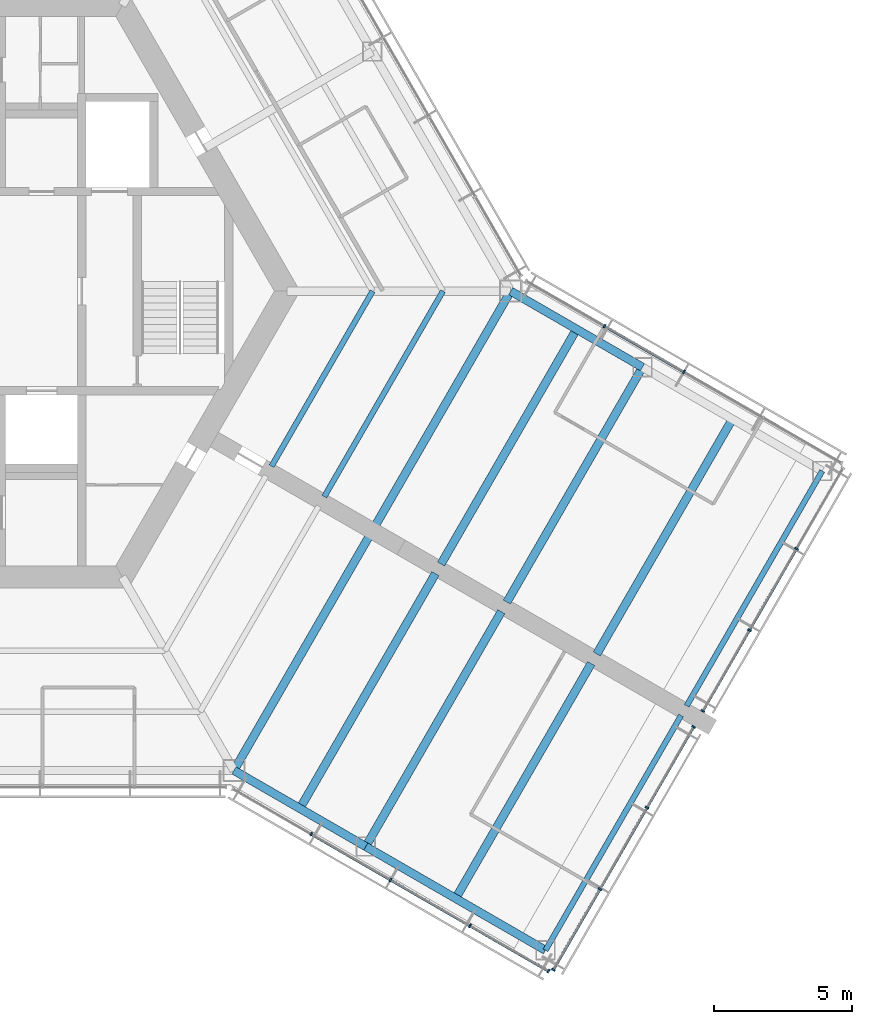
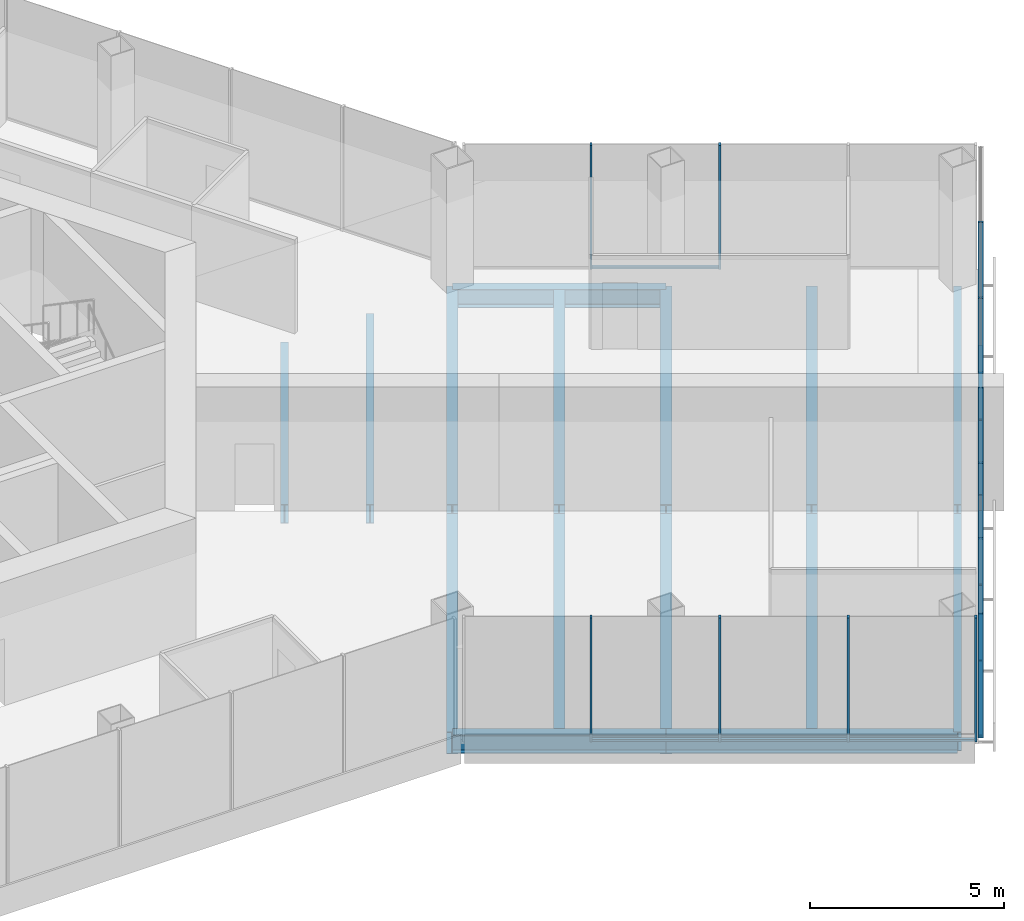
# One storey, part 4 of 15: 22 members, 15 beams, 4 elements without a shape of their own.
"""IFC4 building model written with IfcOpenShell, lengths in metres."""

from ifc_helpers import new_model, si_unit, direction, frame, origin, origin_2d, place, context, subcontext, project, spatial, rectangle, i_section, extrude, material, material_profile, profile_set, type_object, element, aggregate, save


model = new_model("IFC4")

# Units and contexts
model_context = context("Model", 3, precision=1e-05, world=origin(), true_north=direction((0.0, 1.0)))
body_context = subcontext(model_context, "Body", "Model", "MODEL_VIEW")
ifc_project = project(units=[si_unit("LENGTHUNIT", "METRE"), si_unit("AREAUNIT", "SQUARE_METRE"), si_unit("VOLUMEUNIT", "CUBIC_METRE"), si_unit("PLANEANGLEUNIT", "RADIAN"), si_unit("MASSUNIT", "GRAM", prefix="KILO")], contexts=[model_context])

# Site, building, storey
site_placement = place(None, origin())
site = spatial("IfcSite", under=ifc_project, at=site_placement, CompositionType="ELEMENT")
building_placement = place(site_placement, origin())
building = spatial("IfcBuilding", under=site, at=building_placement, Name="Kasaneha Research Tower", CompositionType="ELEMENT")
storey_placement = place(building_placement, frame((0.0, 0.0, 244.0)))
storey = spatial("IfcBuildingStorey", under=building, at=storey_placement, Name="L61", CompositionType="ELEMENT", Elevation=244.0)

# Beams
ifc_material_1 = material(Name="Steel SN490B", Category="steel")
ifc_material_profile_1 = material_profile(ifc_material_1, i_section(OverallWidth=0.199951171875, OverallDepth=0.60009765625, WebThickness=0.010986328125, FlangeThickness=0.01708984375, FilletRadius=0.012939453125, at=origin_2d()), Name="H-600x200x11x17")
ifc_profile_set_1 = profile_set([ifc_material_profile_1], Name="Steel SN490B")
beam_type_1 = type_object("IfcBeamType", Name="B1-3 secondary beam H-600x200x11x17", PredefinedType="JOIST", material=ifc_profile_set_1)
beam_1_placement = place(storey_placement, frame((15.010986328125, 0.0, -0.449951171875), z_axis=(-0.499974128195, -0.866040340363, 0.0), x_axis=(0.866040340363, -0.499974128195, 0.0)))
element("IfcBeam", 1, at=beam_1_placement, inside=storey, type_object=beam_type_1, Name="Secondary beam RS330R1 L61", PredefinedType="JOIST", context=body_context, shape_type="SweptSolid", body=[
    extrude(i_section(OverallWidth=0.199951171875, OverallDepth=0.60009765625, WebThickness=0.010986328125, FlangeThickness=0.01708984375, FilletRadius=0.012939453125, at=origin_2d()), origin(), (0.0, 0.0, 1.0), 7.3056640625),
])
beam_2_placement = place(storey_placement, frame((17.551513671875, 0.0, -0.449951171875), z_axis=(-0.500000102728, -0.866025344474, 0.0), x_axis=(0.866025344474, -0.500000102728, 0.0)))
element("IfcBeam", 2, at=beam_2_placement, inside=storey, type_object=beam_type_1, Name="Secondary beam RS330R2 L61", PredefinedType="JOIST", context=body_context, shape_type="SweptSolid", body=[
    extrude(i_section(OverallWidth=0.199951171875, OverallDepth=0.60009765625, WebThickness=0.010986328125, FlangeThickness=0.01708984375, FilletRadius=0.012939453125, at=origin_2d()), origin(), (0.0, 0.0, 1.0), 8.57568359375),
])
ifc_material_2 = material(Name="Steel SN490B", Category="steel")
ifc_material_profile_2 = material_profile(ifc_material_2, i_section(OverallWidth=0.300048828125, OverallDepth=0.58203125, WebThickness=0.011962890625, FlangeThickness=0.01708984375, FilletRadius=0.012939453125, at=origin_2d()), Name="H-582x300x12x17")
ifc_profile_set_2 = profile_set([ifc_material_profile_2], Name="Steel SN490B")
beam_type_2 = type_object("IfcBeamType", Name="B2-3 secondary beam H-582x300x12x17", PredefinedType="JOIST", material=ifc_profile_set_2)
for number, where, z_axis, x_axis, name in (
    (3, (12.381591796875, -18.695556640625, -0.44091796875), (0.49999201416, 0.866030014362, 0.0), (-0.866030014362, 0.49999201416, 0.0), "Secondary beam WBCP1 L61"),
    (4, (18.0107421875, -21.945556640625, -0.44091796875), (0.49999201416, 0.866030014362, 0.0), (-0.866030014362, 0.49999201416, 0.0), "Secondary beam WBCP2 L61"),
    (5, (22.381591796875, -1.375, -0.44091796875), (-0.49999201416, -0.866030014362, 0.0), (0.866030014362, -0.49999201416, 0.0), "Secondary beam WBCN1 L61"),
    (6, (28.0107421875, -4.625, -0.44091796875), (-0.49999201416, -0.866030014362, 0.0), (0.866030014362, -0.49999201416, 0.0), "Secondary beam WBCN2 L61"),
):
    element("IfcBeam", number, at=place(storey_placement, frame(where, z_axis=z_axis, x_axis=x_axis)), inside=storey, type_object=beam_type_2, Name=name, PredefinedType="JOIST", context=body_context, shape_type="SweptSolid", body=[
        extrude(i_section(OverallWidth=0.300048828125, OverallDepth=0.58203125, WebThickness=0.011962890625, FlangeThickness=0.01708984375, FilletRadius=0.012939453125, at=origin_2d()), origin(), (0.0, 0.0, 1.0), 9.800048828125),
    ])

# Curtain wall, members
ifc_material_3 = material(Name="Glass and aluminium", Category="aluminium")
curtain_wall_type = type_object("IfcCurtainWallType", Name="High-rise office curtain wall", PredefinedType="USERDEFINED", material=ifc_material_3)
curtain_wall_1_placement = place(storey_placement, origin())
curtain_wall_1 = element("IfcCurtainWall", 7, at=curtain_wall_1_placement, inside=storey, type_object=curtain_wall_type, Name="CW-O3 L61 run 06a", ObjectType="UNITISED CURTAIN WALL", PredefinedType="USERDEFINED")
ifc_material_4 = material(Name="Aluminium 6063-T6", Category="aluminium")
ifc_material_profile_3 = material_profile(ifc_material_4, rectangle(XDim=0.06005859375, YDim=0.139892578125, at=origin_2d()), Name="CW-O3 mullion 60x140")
ifc_profile_set_3 = profile_set([ifc_material_profile_3], Name="Aluminium 6063-T6")
member_type_1 = type_object("IfcMemberType", Name="CW-O3 mullion", PredefinedType="MULLION", material=ifc_profile_set_3)
member_1_placement = place(storey_placement, frame((12.792236328125, -19.62548828125, 0.0), z_axis=(0.0, 0.0, 1.0), x_axis=(0.866025411464, -0.499999986699, 0.0)))
member_1 = element("IfcMember", 8, at=member_1_placement, type_object=member_type_1, Name="CW-O3 mullion 2", PredefinedType="MULLION", context=body_context, shape_type="SweptSolid", body=[
    extrude(rectangle(XDim=0.06005859375, YDim=0.139892578125, at=origin_2d()), origin(), (0.0, 0.0, 1.0), 3.89990234375),
])
member_2_placement = place(storey_placement, frame((15.65869140625, -21.2802734375, 0.0), z_axis=(0.0, 0.0, 1.0), x_axis=(0.866025411464, -0.499999986699, 0.0)))
member_2 = element("IfcMember", 9, at=member_2_placement, type_object=member_type_1, Name="CW-O3 mullion 3", PredefinedType="MULLION", context=body_context, shape_type="SweptSolid", body=[
    extrude(rectangle(XDim=0.06005859375, YDim=0.139892578125, at=origin_2d()), origin(), (0.0, 0.0, 1.0), 3.89990234375),
])
member_3_placement = place(storey_placement, frame((18.52490234375, -22.935302734375, 0.0), z_axis=(0.0, 0.0, 1.0), x_axis=(0.866025411464, -0.499999986699, 0.0)))
member_3 = element("IfcMember", 10, at=member_3_placement, type_object=member_type_1, Name="CW-O3 mullion 4", PredefinedType="MULLION", context=body_context, shape_type="SweptSolid", body=[
    extrude(rectangle(XDim=0.06005859375, YDim=0.139892578125, at=origin_2d()), origin(), (0.0, 0.0, 1.0), 3.89990234375),
])
member_4_placement = place(storey_placement, frame((21.365478515625, -24.5751953125, 0.0), z_axis=(0.0, 0.0, 1.0), x_axis=(0.866025411464, -0.499999986699, 0.0)))
member_4 = element("IfcMember", 11, at=member_4_placement, type_object=member_type_1, Name="CW-O3 mullion 5", PredefinedType="MULLION", context=body_context, shape_type="SweptSolid", body=[
    extrude(rectangle(XDim=0.06005859375, YDim=0.139892578125, at=origin_2d()), origin(), (0.0, 0.0, 1.0), 3.89990234375),
])

curtain_wall_2_placement = place(storey_placement, origin())
curtain_wall_2 = element("IfcCurtainWall", 12, at=curtain_wall_2_placement, inside=storey, type_object=curtain_wall_type, Name="CW-O3 L61 run 07a", ObjectType="UNITISED CURTAIN WALL", PredefinedType="USERDEFINED")
member_5_placement = place(storey_placement, frame((21.54296875, -24.527587890625, 0.0), z_axis=(0.0, 0.0, 1.0), x_axis=(0.500000011442, 0.866025397178, 0.0)))
member_5 = element("IfcMember", 13, at=member_5_placement, type_object=member_type_1, Name="CW-O3 mullion 1", PredefinedType="MULLION", context=body_context, shape_type="SweptSolid", body=[
    extrude(rectangle(XDim=0.06005859375, YDim=0.139892578125, at=origin_2d()), origin(), (0.0, 0.0, 1.0), 3.89990234375),
])
member_6_placement = place(storey_placement, frame((23.22802734375, -21.609130859375, 0.0), z_axis=(0.0, 0.0, 1.0), x_axis=(0.500000011442, 0.866025397178, 0.0)))
member_6 = element("IfcMember", 14, at=member_6_placement, type_object=member_type_1, Name="CW-O3 mullion 2", PredefinedType="MULLION", context=body_context, shape_type="SweptSolid", body=[
    extrude(rectangle(XDim=0.06005859375, YDim=0.139892578125, at=origin_2d()), origin(), (0.0, 0.0, 1.0), 3.89990234375),
])
member_7_placement = place(storey_placement, frame((24.927978515625, -18.66455078125, 0.0), z_axis=(0.0, 0.0, 1.0), x_axis=(0.500000011442, 0.866025397178, 0.0)))
member_7 = element("IfcMember", 15, at=member_7_placement, type_object=member_type_1, Name="CW-O3 mullion 3", PredefinedType="MULLION", context=body_context, shape_type="SweptSolid", body=[
    extrude(rectangle(XDim=0.06005859375, YDim=0.139892578125, at=origin_2d()), origin(), (0.0, 0.0, 1.0), 3.89990234375),
])
member_8_placement = place(storey_placement, frame((26.613037109375, -15.74609375, 0.0), z_axis=(0.0, 0.0, 1.0), x_axis=(0.500000011442, 0.866025397178, 0.0)))
member_8 = element("IfcMember", 16, at=member_8_placement, type_object=member_type_1, Name="CW-O3 mullion 4", PredefinedType="MULLION", context=body_context, shape_type="SweptSolid", body=[
    extrude(rectangle(XDim=0.06005859375, YDim=0.139892578125, at=origin_2d()), origin(), (0.0, 0.0, 1.0), 3.89990234375),
])

curtain_wall_3_placement = place(storey_placement, origin())
curtain_wall_3 = element("IfcCurtainWall", 17, at=curtain_wall_3_placement, inside=storey, type_object=curtain_wall_type, Name="CW-O3 L61 run 08a", ObjectType="UNITISED CURTAIN WALL", PredefinedType="USERDEFINED")
member_9_placement = place(storey_placement, frame((26.94287109375, -15.174560546875, 0.0), z_axis=(0.0, 0.0, 1.0), x_axis=(0.500000011442, 0.866025397178, 0.0)))
member_9 = element("IfcMember", 18, at=member_9_placement, type_object=member_type_1, Name="CW-O3 mullion 1", PredefinedType="MULLION", context=body_context, shape_type="SweptSolid", body=[
    extrude(rectangle(XDim=0.06005859375, YDim=0.139892578125, at=origin_2d()), origin(), (0.0, 0.0, 1.0), 3.89990234375),
])
member_10_placement = place(storey_placement, frame((28.6279296875, -12.255859375, 0.0), z_axis=(0.0, 0.0, 1.0), x_axis=(0.500000011442, 0.866025397178, 0.0)))
member_10 = element("IfcMember", 19, at=member_10_placement, type_object=member_type_1, Name="CW-O3 mullion 2", PredefinedType="MULLION", context=body_context, shape_type="SweptSolid", body=[
    extrude(rectangle(XDim=0.06005859375, YDim=0.139892578125, at=origin_2d()), origin(), (0.0, 0.0, 1.0), 3.89990234375),
])
member_11_placement = place(storey_placement, frame((30.327880859375, -9.3115234375, 0.0), z_axis=(0.0, 0.0, 1.0), x_axis=(0.500000011442, 0.866025397178, 0.0)))
member_11 = element("IfcMember", 20, at=member_11_placement, type_object=member_type_1, Name="CW-O3 mullion 3", PredefinedType="MULLION", context=body_context, shape_type="SweptSolid", body=[
    extrude(rectangle(XDim=0.06005859375, YDim=0.139892578125, at=origin_2d()), origin(), (0.0, 0.0, 1.0), 3.89990234375),
])

curtain_wall_4_placement = place(storey_placement, origin())
curtain_wall_4 = element("IfcCurtainWall", 21, at=curtain_wall_4_placement, inside=storey, type_object=curtain_wall_type, Name="CW-O3 L61 run 09a", ObjectType="UNITISED CURTAIN WALL", PredefinedType="USERDEFINED")
member_12_placement = place(storey_placement, frame((26.258544921875, -2.920654296875, 0.0), z_axis=(0.0, 0.0, 1.0), x_axis=(-0.866025411464, 0.499999986699, 0.0)))
member_12 = element("IfcMember", 22, at=member_12_placement, type_object=member_type_1, Name="CW-O3 mullion 3", PredefinedType="MULLION", context=body_context, shape_type="SweptSolid", body=[
    extrude(rectangle(XDim=0.06005859375, YDim=0.139892578125, at=origin_2d()), origin(), (0.0, 0.0, 1.0), 3.89990234375),
])
member_13_placement = place(storey_placement, frame((23.39208984375, -1.265625, 0.0), z_axis=(0.0, 0.0, 1.0), x_axis=(-0.866025411464, 0.499999986699, 0.0)))
member_13 = element("IfcMember", 23, at=member_13_placement, type_object=member_type_1, Name="CW-O3 mullion 4", PredefinedType="MULLION", context=body_context, shape_type="SweptSolid", body=[
    extrude(rectangle(XDim=0.06005859375, YDim=0.139892578125, at=origin_2d()), origin(), (0.0, 0.0, 1.0), 3.89990234375),
])

# Member
ifc_material_5 = material(Name="Aluminium 6063-T6", Category="aluminium")
ifc_material_profile_4 = material_profile(ifc_material_5, rectangle(XDim=0.10009765625, YDim=0.06005859375, at=origin_2d()), Name="CW-O3 transom 100x60")
ifc_profile_set_4 = profile_set([ifc_material_profile_4], Name="Aluminium 6063-T6")
member_type_2 = type_object("IfcMemberType", Name="CW-O3 transom", PredefinedType="USERDEFINED", material=ifc_profile_set_4)
member_14_placement = place(storey_placement, frame((12.818115234375, -19.640380859375, 0.030029296875), z_axis=(0.866015446554, -0.500017246033, 0.0), x_axis=(0.500017246033, 0.866015446554, 0.0)))
member_14 = element("IfcMember", 24, at=member_14_placement, type_object=member_type_2, Name="CW-O3 transom 2", ObjectType="TRANSOM", PredefinedType="USERDEFINED", context=body_context, shape_type="SweptSolid", body=[
    extrude(rectangle(XDim=0.10009765625, YDim=0.06005859375, at=origin_2d()), origin(), (0.0, 0.0, 1.0), 3.25),
])

member_15_placement = place(storey_placement, frame((15.6845703125, -21.29541015625, 0.030029296875), z_axis=(0.86604797581, -0.499960902066, 0.0), x_axis=(0.499960902066, 0.86604797581, 0.0)))
member_15 = element("IfcMember", 25, at=member_15_placement, type_object=member_type_2, Name="CW-O3 transom 3", ObjectType="TRANSOM", PredefinedType="USERDEFINED", context=body_context, shape_type="SweptSolid", body=[
    extrude(rectangle(XDim=0.10009765625, YDim=0.06005859375, at=origin_2d()), origin(), (0.0, 0.0, 1.0), 3.249755859375),
])

member_16_placement = place(storey_placement, frame((18.551025390625, -22.9501953125, 0.030029296875), z_axis=(0.866022692473, -0.500004696101, 0.0), x_axis=(0.500004696101, 0.866022692473, 0.0)))
member_16 = element("IfcMember", 26, at=member_16_placement, type_object=member_type_2, Name="CW-O3 transom 4", ObjectType="TRANSOM", PredefinedType="USERDEFINED", context=body_context, shape_type="SweptSolid", body=[
    extrude(rectangle(XDim=0.10009765625, YDim=0.06005859375, at=origin_2d()), origin(), (0.0, 0.0, 1.0), 3.2197265625),
])

aggregate(curtain_wall_1, [member_1, member_2, member_3, member_4, member_14, member_15, member_16])

member_17_placement = place(storey_placement, frame((21.557861328125, -24.50146484375, 0.030029296875), z_axis=(0.500018282537, 0.866014848099, 0.0), x_axis=(-0.866014848099, 0.500018282537, 0.0)))
member_17 = element("IfcMember", 27, at=member_17_placement, type_object=member_type_2, Name="CW-O3 transom 1", ObjectType="TRANSOM", PredefinedType="USERDEFINED", context=body_context, shape_type="SweptSolid", body=[
    extrude(rectangle(XDim=0.10009765625, YDim=0.06005859375, at=origin_2d()), origin(), (0.0, 0.0, 1.0), 3.31005859375),
])

member_18_placement = place(storey_placement, frame((23.242919921875, -21.5830078125, 0.030029296875), z_axis=(0.499975549825, 0.866039519639, 0.0), x_axis=(-0.866039519639, 0.499975549825, 0.0)))
member_18 = element("IfcMember", 28, at=member_18_placement, type_object=member_type_2, Name="CW-O3 transom 2", ObjectType="TRANSOM", PredefinedType="USERDEFINED", context=body_context, shape_type="SweptSolid", body=[
    extrude(rectangle(XDim=0.10009765625, YDim=0.06005859375, at=origin_2d()), origin(), (0.0, 0.0, 1.0), 3.340087890625),
])

member_19_placement = place(storey_placement, frame((24.94287109375, -18.638671875, 0.030029296875), z_axis=(0.49998634449, 0.866033287653, 0.0), x_axis=(-0.866033287653, 0.49998634449, 0.0)))
member_19 = element("IfcMember", 29, at=member_19_placement, type_object=member_type_2, Name="CW-O3 transom 3", ObjectType="TRANSOM", PredefinedType="USERDEFINED", context=body_context, shape_type="SweptSolid", body=[
    extrude(rectangle(XDim=0.10009765625, YDim=0.06005859375, at=origin_2d()), origin(), (0.0, 0.0, 1.0), 3.31005859375),
])

aggregate(curtain_wall_2, [member_5, member_6, member_7, member_8, member_17, member_18, member_19])

member_20_placement = place(storey_placement, frame((26.9580078125, -15.1484375, 0.030029296875), z_axis=(0.500018282537, 0.866014848099, 0.0), x_axis=(-0.866014848099, 0.500018282537, 0.0)))
member_20 = element("IfcMember", 30, at=member_20_placement, type_object=member_type_2, Name="CW-O3 transom 1", ObjectType="TRANSOM", PredefinedType="USERDEFINED", context=body_context, shape_type="SweptSolid", body=[
    extrude(rectangle(XDim=0.10009765625, YDim=0.06005859375, at=origin_2d()), origin(), (0.0, 0.0, 1.0), 3.31005859375),
])

member_21_placement = place(storey_placement, frame((28.64306640625, -12.22998046875, 0.030029296875), z_axis=(0.499975549825, 0.866039519639, 0.0), x_axis=(-0.866039519639, 0.499975549825, 0.0)))
member_21 = element("IfcMember", 31, at=member_21_placement, type_object=member_type_2, Name="CW-O3 transom 2", ObjectType="TRANSOM", PredefinedType="USERDEFINED", context=body_context, shape_type="SweptSolid", body=[
    extrude(rectangle(XDim=0.10009765625, YDim=0.06005859375, at=origin_2d()), origin(), (0.0, 0.0, 1.0), 3.340087890625),
])

aggregate(curtain_wall_3, [member_9, member_10, member_11, member_20, member_21])

member_22_placement = place(storey_placement, frame((26.232666015625, -2.905517578125, 0.030029296875), z_axis=(-0.86604797581, 0.499960902066, 0.0), x_axis=(-0.499960902066, -0.86604797581, 0.0)))
member_22 = element("IfcMember", 32, at=member_22_placement, type_object=member_type_2, Name="CW-O3 transom 3", ObjectType="TRANSOM", PredefinedType="USERDEFINED", context=body_context, shape_type="SweptSolid", body=[
    extrude(rectangle(XDim=0.10009765625, YDim=0.06005859375, at=origin_2d()), origin(), (0.0, 0.0, 1.0), 3.249755859375),
])

aggregate(curtain_wall_4, [member_12, member_13, member_22])

# Beams
ifc_material_6 = material(Name="Steel SN490B", Category="steel")
ifc_material_profile_5 = material_profile(ifc_material_6, i_section(OverallWidth=0.300048828125, OverallDepth=0.69189453125, WebThickness=0.012939453125, FlangeThickness=0.02001953125, FilletRadius=0.01806640625, at=origin_2d()), Name="H-692x300x13x20")
ifc_profile_set_5 = profile_set([ifc_material_profile_5], Name="Steel SN490B")
beam_type_3 = type_object("IfcBeamType", Name="G3-3 plate edge girder H-692x300x13x20", PredefinedType="BEAM", material=ifc_profile_set_5)
for number, where, z_axis, x_axis, name in (
    (33, (10.0, -17.320556640625, -0.49609375), (0.49999201416, 0.866030014362, 0.0), (-0.866030014362, 0.49999201416, 0.0), "Plate edge girder PECP L61"),
    (34, (20.0, 0.0, -0.49609375), (-0.49999201416, -0.866030014362, 0.0), (0.866030014362, -0.49999201416, 0.0), "Plate edge girder PECN L61"),
):
    element("IfcBeam", number, at=place(storey_placement, frame(where, z_axis=z_axis, x_axis=x_axis)), inside=storey, type_object=beam_type_3, Name=name, PredefinedType="BEAM", context=body_context, shape_type="SweptSolid", body=[
        extrude(i_section(OverallWidth=0.300048828125, OverallDepth=0.69189453125, WebThickness=0.012939453125, FlangeThickness=0.02001953125, FilletRadius=0.01806640625, at=origin_2d()), origin(), (0.0, 0.0, 1.0), 9.800048828125),
    ])
ifc_material_7 = material(Name="Steel SN490B", Category="steel")
ifc_material_profile_6 = material_profile(ifc_material_7, i_section(OverallWidth=0.300048828125, OverallDepth=0.699951171875, WebThickness=0.012939453125, FlangeThickness=0.02392578125, FilletRadius=0.01806640625, at=origin_2d()), Name="H-700x300x13x24")
ifc_profile_set_6 = profile_set([ifc_material_profile_6], Name="Steel SN490B")
beam_type_4 = type_object("IfcBeamType", Name="G4-3 wing girder H-700x300x13x24", PredefinedType="BEAM", material=ifc_profile_set_6)
for number, where, z_axis, x_axis, name in (
    (35, (14.76318359375, -20.070556640625, -0.5), (0.49999201416, 0.866030014362, 0.0), (-0.866030014362, 0.49999201416, 0.0), "Wing girder WGCP L61"),
    (36, (24.76318359375, -2.75, -0.5), (-0.500010698315, -0.866019227021, 0.0), (0.866019227021, -0.500010698315, 0.0), "Wing girder WGCN L61"),
):
    element("IfcBeam", number, at=place(storey_placement, frame(where, z_axis=z_axis, x_axis=x_axis)), inside=storey, type_object=beam_type_4, Name=name, PredefinedType="BEAM", context=body_context, shape_type="SweptSolid", body=[
        extrude(i_section(OverallWidth=0.300048828125, OverallDepth=0.699951171875, WebThickness=0.012939453125, FlangeThickness=0.02392578125, FilletRadius=0.01806640625, at=origin_2d()), origin(), (0.0, 0.0, 1.0), 9.800048828125),
    ])
ifc_material_8 = material(Name="Steel SN490B", Category="steel")
ifc_material_profile_7 = material_profile(ifc_material_8, i_section(OverallWidth=0.300048828125, OverallDepth=0.58203125, WebThickness=0.011962890625, FlangeThickness=0.01708984375, FilletRadius=0.012939453125, at=origin_2d()), Name="H-582x300x12x17")
ifc_profile_set_7 = profile_set([ifc_material_profile_7], Name="Steel SN490B")
beam_type_5 = type_object("IfcBeamType", Name="SB2-3 spandrel beam H-582x300x12x17", PredefinedType="SPANDREL", material=ifc_profile_set_7)
beam_3_placement = place(storey_placement, frame((10.0, -17.320556640625, -0.44091796875), z_axis=(0.866027397988, -0.499996545922, 0.0), x_axis=(0.499996545922, 0.866027397988, 0.0)))
element("IfcBeam", 37, at=beam_3_placement, inside=storey, type_object=beam_type_5, Name="Spandrel beam WSCP1 L61", PredefinedType="SPANDREL", context=body_context, shape_type="SweptSolid", body=[
    extrude(i_section(OverallWidth=0.300048828125, OverallDepth=0.58203125, WebThickness=0.011962890625, FlangeThickness=0.01708984375, FilletRadius=0.012939453125, at=origin_2d()), origin(), (0.0, 0.0, 1.0), 5.5),
])
beam_4_placement = place(storey_placement, frame((14.76318359375, -20.070556640625, -0.44091796875), z_axis=(0.866022959057, -0.500004234368, 0.0), x_axis=(0.500004234368, 0.866022959057, 0.0)))
element("IfcBeam", 38, at=beam_4_placement, inside=storey, type_object=beam_type_5, Name="Spandrel beam WSCP2 L61", PredefinedType="SPANDREL", context=body_context, shape_type="SweptSolid", body=[
    extrude(i_section(OverallWidth=0.300048828125, OverallDepth=0.58203125, WebThickness=0.011962890625, FlangeThickness=0.01708984375, FilletRadius=0.012939453125, at=origin_2d()), origin(), (0.0, 0.0, 1.0), 7.5),
])
beam_5_placement = place(storey_placement, frame((20.0, 0.0, -0.44091796875), z_axis=(0.866027397988, -0.499996545922, 0.0), x_axis=(0.499996545922, 0.866027397988, 0.0)))
element("IfcBeam", 39, at=beam_5_placement, inside=storey, type_object=beam_type_5, Name="Spandrel beam WSCN1 L61", PredefinedType="SPANDREL", context=body_context, shape_type="SweptSolid", body=[
    extrude(i_section(OverallWidth=0.300048828125, OverallDepth=0.58203125, WebThickness=0.011962890625, FlangeThickness=0.01708984375, FilletRadius=0.012939453125, at=origin_2d()), origin(), (0.0, 0.0, 1.0), 5.5),
])
ifc_material_9 = material(Name="Steel SN490B", Category="steel")
ifc_material_profile_8 = material_profile(ifc_material_9, i_section(OverallWidth=0.199951171875, OverallDepth=0.60009765625, WebThickness=0.010986328125, FlangeThickness=0.01708984375, FilletRadius=0.012939453125, at=origin_2d()), Name="H-600x200x11x17")
ifc_profile_set_8 = profile_set([ifc_material_profile_8], Name="Steel SN490B")
beam_type_6 = type_object("IfcBeamType", Name="SB3-3 spandrel beam H-600x200x11x17", PredefinedType="SPANDREL", material=ifc_profile_set_8)
for number, where, z_axis, x_axis, name in (
    (40, (21.25830078125, -23.820556640625, -0.449951171875), (0.500010698315, 0.866019227021, 0.0), (-0.866019227021, 0.500010698315, 0.0), "Spandrel beam WTCP L61"),
    (41, (31.25830078125, -6.5, -0.449951171875), (-0.49999201416, -0.866030014362, 0.0), (0.866030014362, -0.49999201416, 0.0), "Spandrel beam WTCN L61"),
):
    element("IfcBeam", number, at=place(storey_placement, frame(where, z_axis=z_axis, x_axis=x_axis)), inside=storey, type_object=beam_type_6, Name=name, PredefinedType="SPANDREL", context=body_context, shape_type="SweptSolid", body=[
        extrude(i_section(OverallWidth=0.199951171875, OverallDepth=0.60009765625, WebThickness=0.010986328125, FlangeThickness=0.01708984375, FilletRadius=0.012939453125, at=origin_2d()), origin(), (0.0, 0.0, 1.0), 9.800048828125),
    ])

save(model, "model.ifc")
